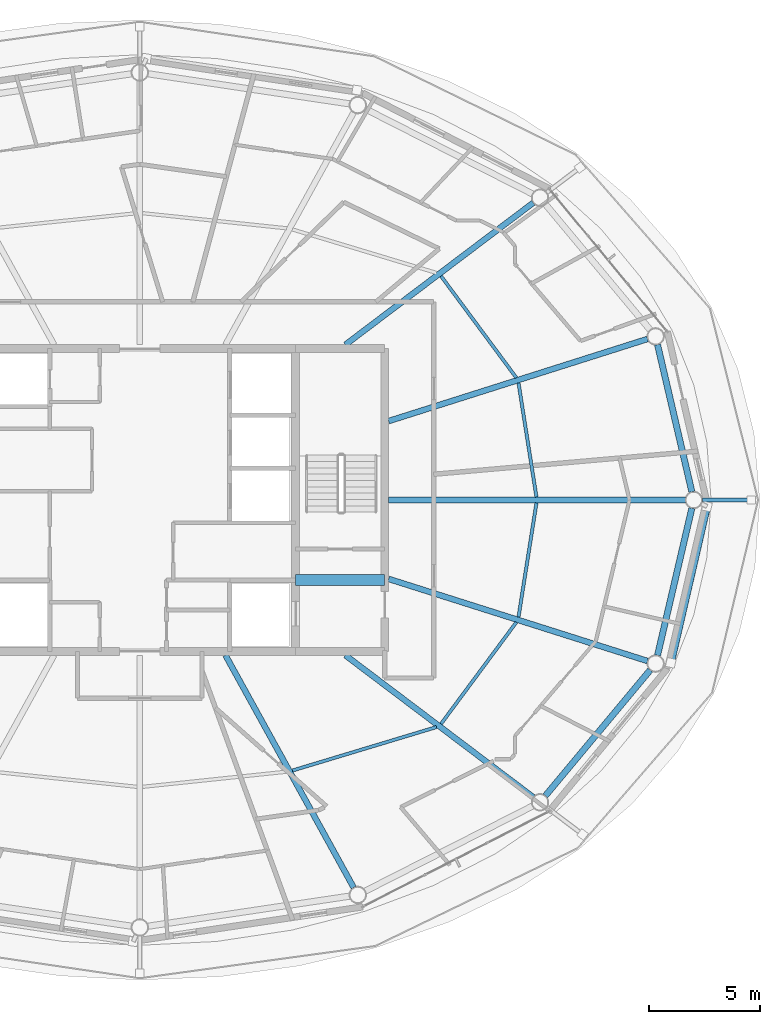
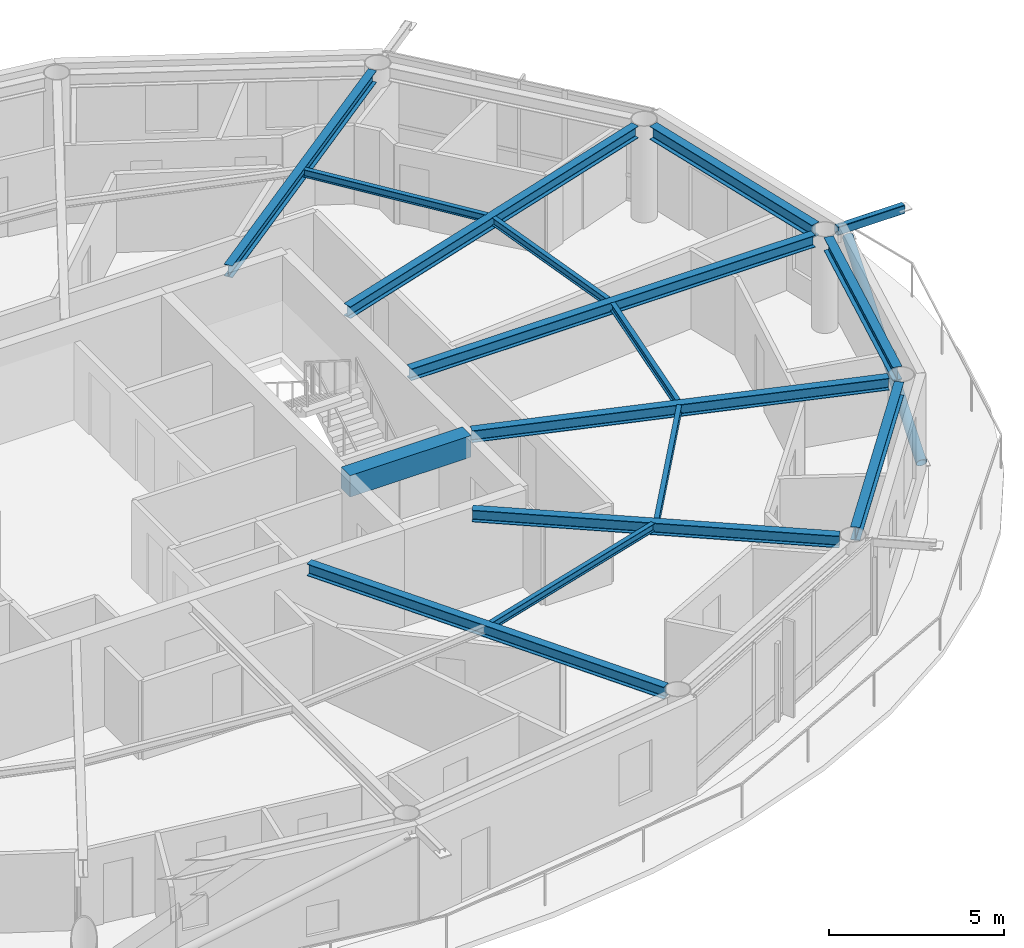
# One storey, part 6 of 23: 15 beams, 2 members.
"""IFC4 building model written with IfcOpenShell, lengths in metres."""

import ifcopenshell
import ifcopenshell.guid

model = None  # the IFC model being written
_history = None  # IfcOwnerHistory: only IFC2X3 demands one
_inside = {}  # id of a spatial element -> (the spatial element, [elements in it])
_under = {}  # id of a project, library or spatial element -> (it, [spatial elements below it])
_declared = {}  # id of a project -> (the project, [libraries it declares])
_typed = {}  # id of a type object -> (the type object, [elements of that type])
_made_of = {}  # id of a material, layer set ... -> (it, [elements and type objects made of it])


def new_model(schema):
    """Start an empty IFC model of exactly this schema.

    Asked for "IFC4X3", IfcOpenShell would pick the latest addendum, in which some entities
    have other attributes; the version numbers below select the first issue.
    IFC2X3 requires an IfcOwnerHistory on every rooted entity: one is made here for all.
    """
    global model, _history
    if schema == "IFC4X3":
        model = ifcopenshell.file(schema_version=(4, 3, 0, 0))
    else:
        model = ifcopenshell.file(schema=schema)
    _inside.clear()
    _under.clear()
    _declared.clear()
    _typed.clear()
    _made_of.clear()
    _history = None
    if model.schema == "IFC2X3":
        org = make("IfcOrganization", Name="unknown")
        user = make(
            "IfcPersonAndOrganization",
            ThePerson=make("IfcPerson", FamilyName="unknown"),
            TheOrganization=org,
        )
        app = make(
            "IfcApplication",
            ApplicationDeveloper=org,
            Version="unknown",
            ApplicationFullName="unknown",
            ApplicationIdentifier="unknown",
        )
        _history = make(
            "IfcOwnerHistory",
            OwningUser=user,
            OwningApplication=app,
            ChangeAction="ADDED",
            CreationDate=0,
        )
    return model


def make(cls, **values):
    """One entity of the class cls with the attributes given. An attribute that is None is left unset."""
    return model.create_entity(
        cls, **{name: value for name, value in values.items() if value is not None}
    )


def rooted(cls, **values):
    """An entity with a GlobalId (a new one), such as an element, a storey or a relation."""
    return make(cls, GlobalId=ifcopenshell.guid.new(), OwnerHistory=_history, **values)


def si_unit(unit_type, name, prefix=None):
    """IfcSIUnit, for example si_unit("LENGTHUNIT", "METRE", prefix="MILLI")."""
    return make("IfcSIUnit", UnitType=unit_type, Prefix=prefix, Name=name)


def assignment(units):
    """IfcUnitAssignment: the units of a project."""
    return None if units is None else make("IfcUnitAssignment", Units=units)


def point(xyz):
    """IfcCartesianPoint."""
    return None if xyz is None else make("IfcCartesianPoint", Coordinates=xyz)


def direction(xyz):
    """IfcDirection."""
    return None if xyz is None else make("IfcDirection", DirectionRatios=xyz)


def frame(location, z_axis=None, x_axis=None):
    """IfcAxis2Placement3D, a coordinate frame: its origin and axes. An axis left out is left unset."""
    return make(
        "IfcAxis2Placement3D",
        Location=point(location),
        Axis=direction(z_axis),
        RefDirection=direction(x_axis),
    )


def frame_2d(location, x_axis=None):
    """IfcAxis2Placement2D, a coordinate frame in the plane: its origin and x axis."""
    return make(
        "IfcAxis2Placement2D", Location=point(location), RefDirection=direction(x_axis)
    )


def origin():
    """The frame at (0, 0, 0) with its axes left unset."""
    return frame((0.0, 0.0, 0.0))


def origin_2d():
    """The frame at (0, 0) in the plane with its x axis left unset."""
    return frame_2d((0.0, 0.0))


def place(relative_to, where):
    """IfcLocalPlacement: puts the frame where relative to a parent placement (None: the world)."""
    return make(
        "IfcLocalPlacement", PlacementRelTo=relative_to, RelativePlacement=where
    )


def context(
    kind, dimensions, precision=None, world=None, true_north=None, identifier=None
):
    """IfcGeometricRepresentationContext, for example the 3D "Model" context."""
    return make(
        "IfcGeometricRepresentationContext",
        ContextIdentifier=identifier,
        ContextType=kind,
        CoordinateSpaceDimension=dimensions,
        Precision=precision,
        WorldCoordinateSystem=world,
        TrueNorth=true_north,
    )


def subcontext(parent, identifier, kind, view, scale=None):
    """IfcGeometricRepresentationSubContext, for example "Body" below "Model"."""
    return make(
        "IfcGeometricRepresentationSubContext",
        ContextIdentifier=identifier,
        ContextType=kind,
        ParentContext=parent,
        TargetScale=scale,
        TargetView=view,
    )


def project(units=None, contexts=None):
    """IfcProject with its units and contexts."""
    return rooted(
        "IfcProject",
        Name="project",
        RepresentationContexts=contexts,
        UnitsInContext=assignment(units),
    )


def spatial(cls, under=None, at=None, **own):
    """A site, building, storey or space (cls), placed at a placement, below another one or the project."""
    s = rooted(cls, ObjectPlacement=at, **own)
    if under is not None:
        _under.setdefault(under.id(), (under, []))[1].append(s)
    return s


def profile(cls, at=None, kind="AREA", **sizes):
    """A parametric profile (cls). Its sizes go by their IFC names, for example OverallWidth=200.0."""
    return make(cls, ProfileType=kind, Position=at, **sizes)


def rectangle(**sizes):
    """IfcRectangleProfileDef."""
    return profile("IfcRectangleProfileDef", **sizes)


def hollow_rectangle(**sizes):
    """IfcRectangleHollowProfileDef."""
    return profile("IfcRectangleHollowProfileDef", **sizes)


def hollow_circle(**sizes):
    """IfcCircleHollowProfileDef."""
    return profile("IfcCircleHollowProfileDef", **sizes)


def i_section(**sizes):
    """IfcIShapeProfileDef."""
    return profile("IfcIShapeProfileDef", **sizes)


def extrude(swept, where, along, depth):
    """IfcExtrudedAreaSolid: the profile swept, set in the frame where, extruded along a direction by depth."""
    return make(
        "IfcExtrudedAreaSolid",
        SweptArea=swept,
        Position=where,
        ExtrudedDirection=direction(along),
        Depth=depth,
    )


def shape(context_of_items, identifier, shape_type, items):
    """IfcShapeRepresentation: the items that make up one representation, for example the "Body"."""
    return make(
        "IfcShapeRepresentation",
        ContextOfItems=context_of_items,
        RepresentationIdentifier=identifier,
        RepresentationType=shape_type,
        Items=items,
    )


def material(Name=None, Category=None):
    """IfcMaterial."""
    return make("IfcMaterial", Name=Name, Category=Category)


def material_profile(
    of_material, cross_section, Name=None, Category=None, Priority=None
):
    """IfcMaterialProfile: a cross section and its material."""
    return make(
        "IfcMaterialProfile",
        Name=Name,
        Material=of_material,
        Profile=cross_section,
        Priority=Priority,
        Category=Category,
    )


def profile_set(profiles, Name=None, composite=None):
    """IfcMaterialProfileSet."""
    return make(
        "IfcMaterialProfileSet",
        Name=Name,
        MaterialProfiles=profiles,
        CompositeProfile=composite,
    )


def made_of(thing, what):
    """Note that an element or type object is made of a material, layer set ...; save() writes the relation."""
    if what is not None:
        _made_of.setdefault(what.id(), (what, []))[1].append(thing)
    return thing


def type_object(cls, material=None, **own):
    """A type object (cls), such as IfcWallType, which elements share."""
    return made_of(rooted(cls, **own), material)


def element(
    cls,
    number,
    at=None,
    inside=None,
    cuts=None,
    type_object=None,
    material=None,
    context=None,
    identifier="Body",
    shape_type=None,
    held_by="IfcProductDefinitionShape",
    body=None,
    shapes=None,
    **own,
):
    """One element of the class cls, such as IfcWall. Its Tag is "e" and its number.

    at: its placement. inside: the storey or other place that contains it. cuts: it is an
    opening in that element (IfcRelVoidsElement). A single representation is given by context,
    identifier, shape_type and body (its items); several are given by shapes. held_by: the class
    of the entity that holds the representations. save() writes the other relations.
    """
    e = rooted(cls, Tag="e%d" % number, ObjectPlacement=at, **own)
    if body is not None:
        shapes = [shape(context, identifier, shape_type, body)]
    if shapes is not None:
        e.Representation = make(held_by, Representations=shapes)
    if inside is not None:
        _inside.setdefault(inside.id(), (inside, []))[1].append(e)
    if cuts is not None:
        rooted(
            "IfcRelVoidsElement", RelatingBuildingElement=cuts, RelatedOpeningElement=e
        )
    if type_object is not None:
        _typed.setdefault(type_object.id(), (type_object, []))[1].append(e)
    return made_of(e, material)


def aggregate(whole, parts):
    """IfcRelAggregates: a whole, such as a stair, and the parts it consists of."""
    return rooted("IfcRelAggregates", RelatingObject=whole, RelatedObjects=parts)


def save(model, path):
    """Write the relations noted so far, then the file.

    IfcRelAggregates (storeys below a building ...), IfcRelContainedInSpatialStructure (elements
    in a storey), IfcRelDefinesByType, IfcRelAssociatesMaterial and IfcRelDeclares: one each for
    every whole, place, type object, material and project.
    """
    for whole, parts in _under.values():
        aggregate(whole, parts)
    for where, things in _inside.values():
        rooted(
            "IfcRelContainedInSpatialStructure",
            RelatedElements=things,
            RelatingStructure=where,
        )
    for kind, things in _typed.values():
        rooted("IfcRelDefinesByType", RelatedObjects=things, RelatingType=kind)
    for what, things in _made_of.values():
        rooted("IfcRelAssociatesMaterial", RelatedObjects=things, RelatingMaterial=what)
    for by, libraries in _declared.values():
        rooted("IfcRelDeclares", RelatingContext=by, RelatedDefinitions=libraries)
    model.write(path)


model = new_model("IFC4")

# Units and contexts
model_context = context("Model", 3, precision=1e-05, world=origin(), true_north=direction((0.0, 1.0)))
body_context = subcontext(model_context, "Body", "Model", "MODEL_VIEW")
ifc_project = project(units=[si_unit("LENGTHUNIT", "METRE"), si_unit("AREAUNIT", "SQUARE_METRE"), si_unit("VOLUMEUNIT", "CUBIC_METRE"), si_unit("PLANEANGLEUNIT", "RADIAN"), si_unit("MASSUNIT", "GRAM", prefix="KILO")], contexts=[model_context])

# Site, building, storey
site_placement = place(None, origin())
site = spatial("IfcSite", under=ifc_project, at=site_placement, CompositionType="ELEMENT")
building_placement = place(site_placement, origin())
building = spatial("IfcBuilding", under=site, at=building_placement, Name="Sarneth Arch Tower", CompositionType="ELEMENT")
storey_placement = place(building_placement, frame((0.0, 0.0, 280.199951171875)))
storey = spatial("IfcBuildingStorey", under=building, at=storey_placement, Name="L72", CompositionType="ELEMENT", Elevation=280.199951171875)

# Beams
ifc_material_1 = material(Name="Steel S355", Category="steel")
ifc_material_profile_1 = material_profile(ifc_material_1, i_section(OverallWidth=0.14794921875, OverallDepth=0.26611328125, WebThickness=0.007568359375, FlangeThickness=0.012939453125, FilletRadius=0.012939453125, at=origin_2d()), Name="W250x44.8")
ifc_profile_set_1 = profile_set([ifc_material_profile_1], Name="Steel S355")
beam_type_1 = type_object("IfcBeamType", Name="BM-JOIST-250", PredefinedType="JOIST", material=ifc_profile_set_1)
beam_1_placement = place(storey_placement, frame((65.818359375, 42.12841796875, 3.237060546875), z_axis=(-0.155520890899, 0.987832603478, 0.0), x_axis=(-0.987832603478, -0.155520890899, 0.0)))
element("IfcBeam", 1, at=beam_1_placement, inside=storey, type_object=beam_type_1, Name="L72 Secondary floor joist 01", PredefinedType="JOIST", context=body_context, shape_type="SweptSolid", body=[
    extrude(i_section(OverallWidth=0.14794921875, OverallDepth=0.26611328125, WebThickness=0.007568359375, FlangeThickness=0.012939453125, FilletRadius=0.012939453125, at=origin_2d()), origin(), (0.0, 0.0, 1.0), 5.194580078125),
])
beam_2_placement = place(storey_placement, frame((64.912841796875, 47.49267578125, 3.237060546875), z_axis=(-0.595431044136, 0.803406417499, 0.0), x_axis=(-0.803406417499, -0.595431044136, 0.0)))
element("IfcBeam", 2, at=beam_2_placement, inside=storey, type_object=beam_type_1, Name="L72 Secondary floor joist 02", PredefinedType="JOIST", context=body_context, shape_type="SweptSolid", body=[
    extrude(i_section(OverallWidth=0.14794921875, OverallDepth=0.26611328125, WebThickness=0.007568359375, FlangeThickness=0.012939453125, FilletRadius=0.012939453125, at=origin_2d()), origin(), (0.0, 0.0, 1.0), 5.680419921875),
])
beam_3_placement = place(storey_placement, frame((54.852783203125, 29.84765625, 3.237060546875), z_axis=(0.957373106971, 0.288854174367, 0.0), x_axis=(-0.288854174367, 0.957373106971, 0.0)))
element("IfcBeam", 3, at=beam_3_placement, inside=storey, type_object=beam_type_1, Name="L72 Secondary floor joist 14", PredefinedType="JOIST", context=body_context, shape_type="SweptSolid", body=[
    extrude(i_section(OverallWidth=0.14794921875, OverallDepth=0.26611328125, WebThickness=0.007568359375, FlangeThickness=0.012939453125, FilletRadius=0.012939453125, at=origin_2d()), origin(), (0.0, 0.0, 1.0), 6.76416015625),
])
beam_4_placement = place(storey_placement, frame((61.530517578125, 31.943603515625, 3.237060546875), z_axis=(0.595431044136, 0.803406417499, 0.0), x_axis=(-0.803406417499, 0.595431044136, 0.0)))
element("IfcBeam", 4, at=beam_4_placement, inside=storey, type_object=beam_type_1, Name="L72 Secondary floor joist 15", PredefinedType="JOIST", context=body_context, shape_type="SweptSolid", body=[
    extrude(i_section(OverallWidth=0.14794921875, OverallDepth=0.26611328125, WebThickness=0.007568359375, FlangeThickness=0.012939453125, FilletRadius=0.012939453125, at=origin_2d()), origin(), (0.0, 0.0, 1.0), 5.680419921875),
])
beam_5_placement = place(storey_placement, frame((65.010498046875, 36.740234375, 3.237060546875), z_axis=(0.155520890899, 0.987832603478, 0.0), x_axis=(-0.987832603478, 0.155520890899, 0.0)))
element("IfcBeam", 5, at=beam_5_placement, inside=storey, type_object=beam_type_1, Name="L72 Secondary floor joist 16", PredefinedType="JOIST", context=body_context, shape_type="SweptSolid", body=[
    extrude(i_section(OverallWidth=0.14794921875, OverallDepth=0.26611328125, WebThickness=0.007568359375, FlangeThickness=0.012939453125, FilletRadius=0.012939453125, at=origin_2d()), origin(), (0.0, 0.0, 1.0), 5.194580078125),
])
ifc_material_2 = material(Name="Concrete C50/60", Category="concrete")
ifc_material_profile_2 = material_profile(ifc_material_2, rectangle(XDim=0.5, YDim=0.75, at=origin_2d()), Name="RC-500x750")
ifc_profile_set_2 = profile_set([ifc_material_profile_2], Name="Concrete C50/60")
beam_type_2 = type_object("IfcBeamType", Name="BM-LINTEL-RC", PredefinedType="LINTEL", material=ifc_profile_set_2)
beam_6_placement = place(storey_placement, frame((55.0, 38.39990234375, 2.9951171875), z_axis=(1.0, 0.0, 0.0), x_axis=(0.0, 1.0, 0.0)))
element("IfcBeam", 6, at=beam_6_placement, inside=storey, type_object=beam_type_2, Name="L72 Core coupling lintel E", PredefinedType="LINTEL", context=body_context, shape_type="SweptSolid", body=[
    extrude(rectangle(XDim=0.5, YDim=0.75, at=origin_2d()), origin(), (0.0, 0.0, 1.0), 4.0),
])
ifc_material_3 = material(Name="Steel S355", Category="steel")
ifc_material_profile_3 = material_profile(ifc_material_3, i_section(OverallWidth=0.260009765625, OverallDepth=0.4150390625, WebThickness=0.010009765625, FlangeThickness=0.016845703125, FilletRadius=0.01611328125, at=origin_2d()), Name="W410x100")
ifc_profile_set_3 = profile_set([ifc_material_profile_3], Name="Steel S355")
beam_type_3 = type_object("IfcBeamType", Name="BM-RAD-410A", PredefinedType="BEAM", material=ifc_profile_set_3)
beam_7_placement = place(storey_placement, frame((59.175048828125, 42.0, 3.16259765625), z_axis=(1.0, 0.0, 0.0), x_axis=(0.0, 1.0, 0.0)))
element("IfcBeam", 7, at=beam_7_placement, inside=storey, type_object=beam_type_3, Name="L72 Radial floor girder 01", PredefinedType="BEAM", context=body_context, shape_type="SweptSolid", body=[
    extrude(i_section(OverallWidth=0.260009765625, OverallDepth=0.4150390625, WebThickness=0.010009765625, FlangeThickness=0.016845703125, FilletRadius=0.01611328125, at=origin_2d()), origin(), (0.0, 0.0, 1.0), 13.3271484375),
])
beam_8_placement = place(storey_placement, frame((59.175048828125, 45.5439453125, 3.16259765625), z_axis=(0.953213623044, 0.302297517096, 0.0), x_axis=(-0.302297517096, 0.953213623044, 0.0)))
element("IfcBeam", 8, at=beam_8_placement, inside=storey, type_object=beam_type_3, Name="L72 Radial floor girder 02", PredefinedType="BEAM", context=body_context, shape_type="SweptSolid", body=[
    extrude(i_section(OverallWidth=0.260009765625, OverallDepth=0.4150390625, WebThickness=0.010009765625, FlangeThickness=0.016845703125, FilletRadius=0.01611328125, at=origin_2d()), origin(), (0.0, 0.0, 1.0), 12.201416015625),
])
beam_9_placement = place(storey_placement, frame((57.23486328125, 48.97509765625, 3.16259765625), z_axis=(0.797969745164, 0.602697507713, 0.0), x_axis=(-0.602697507713, 0.797969745164, 0.0)))
element("IfcBeam", 9, at=beam_9_placement, inside=storey, type_object=beam_type_3, Name="L72 Radial floor girder 03", PredefinedType="BEAM", context=body_context, shape_type="SweptSolid", body=[
    extrude(i_section(OverallWidth=0.260009765625, OverallDepth=0.4150390625, WebThickness=0.010009765625, FlangeThickness=0.016845703125, FilletRadius=0.01611328125, at=origin_2d()), origin(), (0.0, 0.0, 1.0), 10.572265625),
])
beam_10_placement = place(storey_placement, frame((51.849853515625, 35.02490234375, 3.16259765625), z_axis=(0.483231193732, -0.875492783182, 0.0), x_axis=(0.875492783182, 0.483231193732, 0.0)))
element("IfcBeam", 10, at=beam_10_placement, inside=storey, type_object=beam_type_3, Name="L72 Radial floor girder 14", PredefinedType="BEAM", context=body_context, shape_type="SweptSolid", body=[
    extrude(i_section(OverallWidth=0.260009765625, OverallDepth=0.4150390625, WebThickness=0.010009765625, FlangeThickness=0.016845703125, FilletRadius=0.01611328125, at=origin_2d()), origin(), (0.0, 0.0, 1.0), 11.913330078125),
])
beam_11_placement = place(storey_placement, frame((57.23486328125, 35.02490234375, 3.16259765625), z_axis=(0.797969745164, -0.602697507713, 0.0), x_axis=(0.602697507713, 0.797969745164, 0.0)))
element("IfcBeam", 11, at=beam_11_placement, inside=storey, type_object=beam_type_3, Name="L72 Radial floor girder 15", PredefinedType="BEAM", context=body_context, shape_type="SweptSolid", body=[
    extrude(i_section(OverallWidth=0.260009765625, OverallDepth=0.4150390625, WebThickness=0.010009765625, FlangeThickness=0.016845703125, FilletRadius=0.01611328125, at=origin_2d()), origin(), (0.0, 0.0, 1.0), 10.572265625),
])
beam_12_placement = place(storey_placement, frame((59.175048828125, 38.4560546875, 3.16259765625), z_axis=(0.953213623044, -0.302297517096, 0.0), x_axis=(0.302297517096, 0.953213623044, 0.0)))
element("IfcBeam", 12, at=beam_12_placement, inside=storey, type_object=beam_type_3, Name="L72 Radial floor girder 16", PredefinedType="BEAM", context=body_context, shape_type="SweptSolid", body=[
    extrude(i_section(OverallWidth=0.260009765625, OverallDepth=0.4150390625, WebThickness=0.010009765625, FlangeThickness=0.016845703125, FilletRadius=0.01611328125, at=origin_2d()), origin(), (0.0, 0.0, 1.0), 12.201416015625),
])
ifc_material_4 = material(Name="Steel S355", Category="steel")
ifc_material_profile_4 = material_profile(ifc_material_4, i_section(OverallWidth=0.280029296875, OverallDepth=0.462890625, WebThickness=0.0107421875, FlangeThickness=0.017333984375, FilletRadius=0.01806640625, at=origin_2d()), Name="W460x113")
ifc_profile_set_4 = profile_set([ifc_material_profile_4], Name="Steel S355")
beam_type_4 = type_object("IfcBeamType", Name="BM-RAD-460A", PredefinedType="BEAM", material=ifc_profile_set_4)
beam_13_placement = place(storey_placement, frame((72.796630859375, 42.37109375, 3.138427734375), z_axis=(-0.227227339933, 0.973841740729, 0.0), x_axis=(-0.973841740729, -0.227227339933, 0.0)))
element("IfcBeam", 13, at=beam_13_placement, inside=storey, type_object=beam_type_4, Name="L72 Perimeter spandrel beam 01", PredefinedType="BEAM", context=body_context, shape_type="SweptSolid", body=[
    extrude(i_section(OverallWidth=0.280029296875, OverallDepth=0.462890625, WebThickness=0.0107421875, FlangeThickness=0.017333984375, FilletRadius=0.01806640625, at=origin_2d()), origin(), (0.0, 0.0, 1.0), 6.782958984375),
])
beam_14_placement = place(storey_placement, frame((66.21923828125, 28.716064453125, 3.138427734375), z_axis=(0.640377192996, 0.768060577487, 0.0), x_axis=(-0.768060577487, 0.640377192996, 0.0)))
element("IfcBeam", 14, at=beam_14_placement, inside=storey, type_object=beam_type_4, Name="L72 Perimeter spandrel beam 15", PredefinedType="BEAM", context=body_context, shape_type="SweptSolid", body=[
    extrude(i_section(OverallWidth=0.280029296875, OverallDepth=0.462890625, WebThickness=0.0107421875, FlangeThickness=0.017333984375, FilletRadius=0.01806640625, at=origin_2d()), origin(), (0.0, 0.0, 1.0), 7.34814453125),
])
beam_15_placement = place(storey_placement, frame((71.25537109375, 35.0234375, 3.138427734375), z_axis=(0.227227339933, 0.973841740729, 0.0), x_axis=(-0.973841740729, 0.227227339933, 0.0)))
element("IfcBeam", 15, at=beam_15_placement, inside=storey, type_object=beam_type_4, Name="L72 Perimeter spandrel beam 16", PredefinedType="BEAM", context=body_context, shape_type="SweptSolid", body=[
    extrude(i_section(OverallWidth=0.280029296875, OverallDepth=0.462890625, WebThickness=0.0107421875, FlangeThickness=0.017333984375, FilletRadius=0.01806640625, at=origin_2d()), origin(), (0.0, 0.0, 1.0), 6.782958984375),
])

# Members
ifc_material_5 = material(Name="Steel S355", Category="steel")
ifc_material_profile_5 = material_profile(ifc_material_5, hollow_rectangle(XDim=0.199951171875, YDim=0.300048828125, WallThickness=0.012451171875, InnerFilletRadius=0.018798828125, OuterFilletRadius=0.03125, at=origin_2d()), Name="RHS300x200x12.5")
ifc_profile_set_5 = profile_set([ifc_material_profile_5], Name="Steel S355")
member_type_1 = type_object("IfcMemberType", Name="MEM-CANT-STRUT", PredefinedType="STRUT", material=ifc_profile_set_5)
member_1_placement = place(storey_placement, frame((73.26416015625, 42.0, 3.2099609375), z_axis=(1.0, 0.0, 0.0), x_axis=(0.0, 1.0, 0.0)))
element("IfcMember", 16, at=member_1_placement, inside=storey, type_object=member_type_1, Name="L72 Balcony cantilever bracket 01", PredefinedType="STRUT", context=body_context, shape_type="SweptSolid", body=[
    extrude(hollow_rectangle(XDim=0.199951171875, YDim=0.300048828125, WallThickness=0.012451171875, InnerFilletRadius=0.018798828125, OuterFilletRadius=0.03125, at=origin_2d()), origin(), (0.0, 0.0, 1.0), 2.20849609375),
])
ifc_material_6 = material(Name="Steel S355", Category="steel")
ifc_material_profile_6 = material_profile(ifc_material_6, hollow_circle(Radius=0.162109375, WallThickness=0.012451171875, at=origin_2d()), Name="CHS324x12.5")
ifc_profile_set_6 = profile_set([ifc_material_profile_6], Name="Steel S355")
member_type_2 = type_object("IfcMemberType", Name="MEM-DIAG-BR3", PredefinedType="BRACE", material=ifc_profile_set_6)
member_2_placement = place(storey_placement, frame((71.851806640625, 34.6845703125, 0.02001953125), z_axis=(0.207343373373, 0.896265487877, 0.392067469651), x_axis=(-0.974268900284, 0.225388797281, 0.0)))
element("IfcMember", 17, at=member_2_placement, inside=storey, type_object=member_type_2, Name="L72 Perimeter frame diagonal 16", PredefinedType="BRACE", context=body_context, shape_type="SweptSolid", body=[
    extrude(hollow_circle(Radius=0.162109375, WallThickness=0.012451171875, at=origin_2d()), origin(), (0.0, 0.0, 1.0), 7.836181640625),
])

save(model, "model.ifc")
